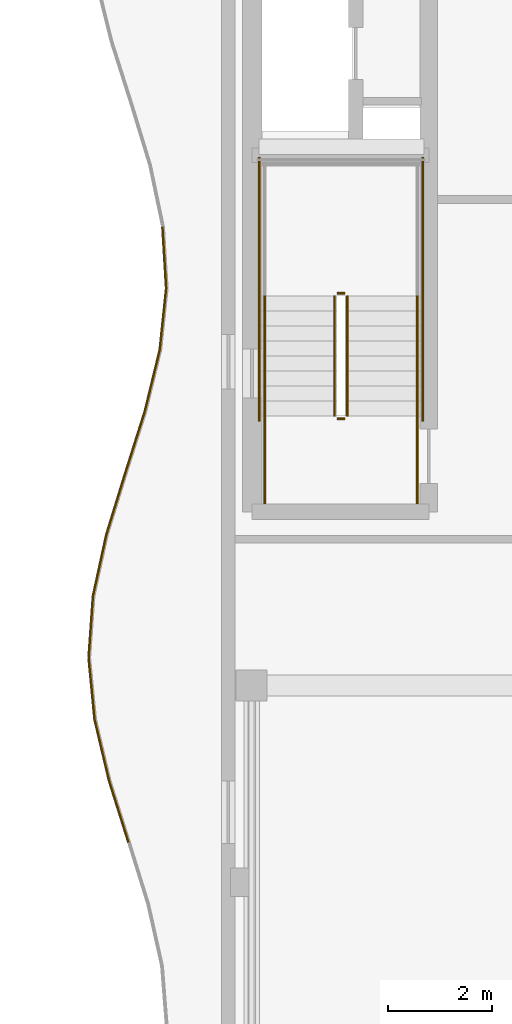
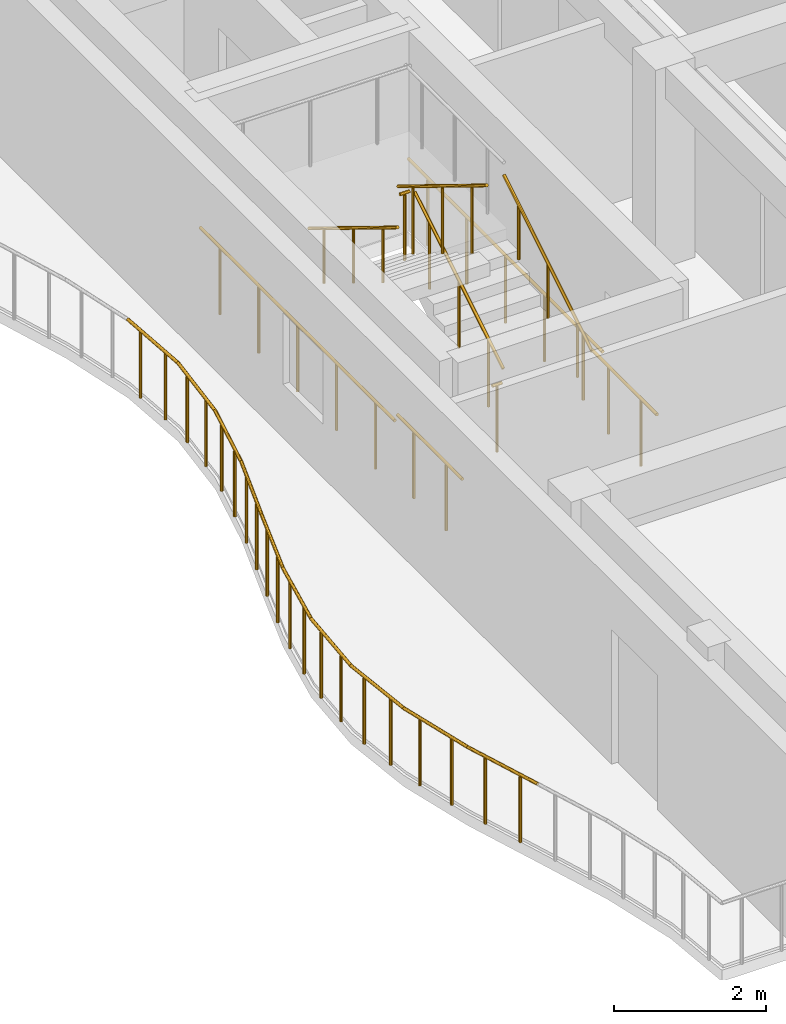
# One storey, part 58 of 79: 20 railings.
"""IFC4 building model written with IfcOpenShell, lengths in metres."""

from ifc_helpers import new_model, si_unit, direction, frame, origin, origin_2d, place, context, subcontext, project, spatial, circle, extrude, material, type_object, element, save


model = new_model("IFC4")

# Units and contexts
model_context = context("Model", 3, precision=1e-05, world=origin(), true_north=direction((0.0, 1.0)))
body_context = subcontext(model_context, "Body", "Model", "MODEL_VIEW")
ifc_project = project(units=[si_unit("LENGTHUNIT", "METRE"), si_unit("AREAUNIT", "SQUARE_METRE"), si_unit("VOLUMEUNIT", "CUBIC_METRE"), si_unit("PLANEANGLEUNIT", "RADIAN"), si_unit("MASSUNIT", "GRAM", prefix="KILO")], contexts=[model_context])

# Site, building, storey
site_placement = place(None, origin())
site = spatial("IfcSite", under=ifc_project, at=site_placement, CompositionType="ELEMENT")
building_placement = place(site_placement, origin())
building = spatial("IfcBuilding", under=site, at=building_placement, Name="Keldmere Railside Commons", CompositionType="ELEMENT")
storey_placement = place(building_placement, frame((0.0, 0.0, 10.56005859375)))
storey = spatial("IfcBuildingStorey", under=building, at=storey_placement, Name="L03", CompositionType="ELEMENT", Elevation=10.56005859375)

# Railings
ifc_material = material(Name="Steel F-24 (S235)", Category="steel")
railing_type_1 = type_object("IfcRailingType", Name="Balcony & Terrace Steel Balustrade 1100", PredefinedType="BALUSTRADE", material=ifc_material)
railing_1_placement = place(storey_placement, frame((46.0703125, 60.966796875, 0.0)))
element("IfcRailing", 1, at=railing_1_placement, inside=storey, type_object=railing_type_1, Name="GR-1 GRD-L03-1113", PredefinedType="BALUSTRADE", context=body_context, shape_type="SweptSolid", body=[
    extrude(circle(Radius=0.02392578125, at=origin_2d()), frame((0.0, 0.0, 1.076171875), z_axis=(-0.300493797751, 0.953783768741, 0.0), x_axis=(-0.953783768741, -0.300493797751, 0.0)), (0.0, 0.0, 1.0), 1.246337890625),
    extrude(circle(Radius=0.02099609375, at=origin_2d()), frame((-0.09375, 0.297119140625, 0.0)), (0.0, 0.0, 1.0), 1.048095703125),
    extrude(circle(Radius=0.02099609375, at=origin_2d()), frame((-0.28076171875, 0.8916015625, 0.0)), (0.0, 0.0, 1.0), 1.048095703125),
])
railing_2_placement = place(storey_placement, frame((45.69580078125, 62.155517578125, 0.0)))
element("IfcRailing", 2, at=railing_2_placement, inside=storey, type_object=railing_type_1, Name="GR-1 GRD-L03-1114", PredefinedType="BALUSTRADE", context=body_context, shape_type="SweptSolid", body=[
    extrude(circle(Radius=0.02392578125, at=origin_2d()), frame((0.0, 0.0, 1.076171875), z_axis=(-0.23000824845, 0.973188679365, 0.0), x_axis=(-0.973188679365, -0.23000824845, 0.0)), (0.0, 0.0, 1.0), 1.2216796875),
    extrude(circle(Radius=0.02099609375, at=origin_2d()), frame((-0.0703125, 0.29736328125, 0.0)), (0.0, 0.0, 1.0), 1.048095703125),
    extrude(circle(Radius=0.02099609375, at=origin_2d()), frame((-0.210693359375, 0.8916015625, 0.0)), (0.0, 0.0, 1.0), 1.048095703125),
])
railing_3_placement = place(storey_placement, frame((45.414794921875, 63.344482421875, 0.0)))
element("IfcRailing", 3, at=railing_3_placement, inside=storey, type_object=railing_type_1, Name="GR-1 GRD-L03-1115", PredefinedType="BALUSTRADE", context=body_context, shape_type="SweptSolid", body=[
    extrude(circle(Radius=0.02392578125, at=origin_2d()), frame((0.0, 0.0, 1.076171875), z_axis=(-0.095677347095, 0.995412399588, 0.0), x_axis=(-0.995412399588, -0.095677347095, 0.0)), (0.0, 0.0, 1.0), 1.194091796875),
    extrude(circle(Radius=0.02099609375, at=origin_2d()), frame((-0.028564453125, 0.297119140625, 0.0)), (0.0, 0.0, 1.0), 1.048095703125),
    extrude(circle(Radius=0.02099609375, at=origin_2d()), frame((-0.085693359375, 0.8916015625, 0.0)), (0.0, 0.0, 1.0), 1.048095703125),
])
railing_4_placement = place(storey_placement, frame((45.300537109375, 64.533203125, 0.0)))
element("IfcRailing", 4, at=railing_4_placement, inside=storey, type_object=railing_type_1, Name="GR-1 GRD-L03-1116", PredefinedType="BALUSTRADE", context=body_context, shape_type="SweptSolid", body=[
    extrude(circle(Radius=0.02392578125, at=origin_2d()), frame((0.0, 0.0, 1.076171875), z_axis=(0.069849511532, 0.997557540064, 0.0), x_axis=(-0.997557540064, 0.069849511532, 0.0)), (0.0, 0.0, 1.0), 1.19189453125),
    extrude(circle(Radius=0.02099609375, at=origin_2d()), frame((0.020751953125, 0.29736328125, 0.0)), (0.0, 0.0, 1.0), 1.048095703125),
    extrude(circle(Radius=0.02099609375, at=origin_2d()), frame((0.0625, 0.8916015625, 0.0)), (0.0, 0.0, 1.0), 1.048095703125),
])
railing_5_placement = place(storey_placement, frame((45.3837890625, 65.72216796875, 0.0)))
element("IfcRailing", 5, at=railing_5_placement, inside=storey, type_object=railing_type_1, Name="GR-1 GRD-L03-1117", PredefinedType="BALUSTRADE", context=body_context, shape_type="SweptSolid", body=[
    extrude(circle(Radius=0.02392578125, at=origin_2d()), frame((0.0, 0.0, 1.076171875), z_axis=(0.212487955487, 0.977163685762, 0.0), x_axis=(-0.977163685762, 0.212487955487, 0.0)), (0.0, 0.0, 1.0), 1.216796875),
    extrude(circle(Radius=0.02099609375, at=origin_2d()), frame((0.064697265625, 0.29736328125, 0.0)), (0.0, 0.0, 1.0), 1.048095703125),
    extrude(circle(Radius=0.02099609375, at=origin_2d()), frame((0.19384765625, 0.8916015625, 0.0)), (0.0, 0.0, 1.0), 1.048095703125),
])
railing_6_placement = place(storey_placement, frame((45.642333984375, 66.9111328125, 0.0)))
element("IfcRailing", 6, at=railing_6_placement, inside=storey, type_object=railing_type_1, Name="GR-1 GRD-L03-1118", PredefinedType="BALUSTRADE", context=body_context, shape_type="SweptSolid", body=[
    extrude(circle(Radius=0.02392578125, at=origin_2d()), frame((0.0, 0.0, 1.076171875), z_axis=(0.294003098694, 0.955804466383, 0.0), x_axis=(-0.955804466383, 0.294003098694, 0.0)), (0.0, 0.0, 1.0), 1.243896484375),
    extrude(circle(Radius=0.02099609375, at=origin_2d()), frame((0.09130859375, 0.29736328125, 0.0)), (0.0, 0.0, 1.0), 1.048095703125),
    extrude(circle(Radius=0.02099609375, at=origin_2d()), frame((0.2744140625, 0.8916015625, 0.0)), (0.0, 0.0, 1.0), 1.048095703125),
])
railing_7_placement = place(storey_placement, frame((46.008056640625, 68.10009765625, 0.0)))
element("IfcRailing", 7, at=railing_7_placement, inside=storey, type_object=railing_type_1, Name="GR-1 GRD-L03-1119", PredefinedType="BALUSTRADE", context=body_context, shape_type="SweptSolid", body=[
    extrude(circle(Radius=0.02392578125, at=origin_2d()), frame((0.0, 0.0, 1.076171875), z_axis=(0.302096330434, 0.953277403036, 0.0), x_axis=(-0.953277403036, 0.302096330434, 0.0)), (0.0, 0.0, 1.0), 1.2470703125),
    extrude(circle(Radius=0.02099609375, at=origin_2d()), frame((0.09423828125, 0.297119140625, 0.0)), (0.0, 0.0, 1.0), 1.048095703125),
    extrude(circle(Radius=0.02099609375, at=origin_2d()), frame((0.282470703125, 0.8916015625, 0.0)), (0.0, 0.0, 1.0), 1.048095703125),
])
railing_8_placement = place(storey_placement, frame((46.384765625, 69.288818359375, 0.0)))
element("IfcRailing", 8, at=railing_8_placement, inside=storey, type_object=railing_type_1, Name="GR-1 GRD-L03-1120", PredefinedType="BALUSTRADE", context=body_context, shape_type="SweptSolid", body=[
    extrude(circle(Radius=0.02392578125, at=origin_2d()), frame((0.0, 0.0, 1.076171875), z_axis=(0.236051162868, 0.971740628207, 0.0), x_axis=(-0.971740628207, 0.236051162868, 0.0)), (0.0, 0.0, 1.0), 1.2236328125),
    extrude(circle(Radius=0.02099609375, at=origin_2d()), frame((0.072265625, 0.29736328125, 0.0)), (0.0, 0.0, 1.0), 1.048095703125),
    extrude(circle(Radius=0.02099609375, at=origin_2d()), frame((0.216552734375, 0.8916015625, 0.0)), (0.0, 0.0, 1.0), 1.048095703125),
])
railing_9_placement = place(storey_placement, frame((46.673583984375, 70.477783203125, 0.0)))
element("IfcRailing", 9, at=railing_9_placement, inside=storey, type_object=railing_type_1, Name="GR-1 GRD-L03-1121", PredefinedType="BALUSTRADE", context=body_context, shape_type="SweptSolid", body=[
    extrude(circle(Radius=0.02392578125, at=origin_2d()), frame((0.0, 0.0, 1.076171875), z_axis=(0.104153232788, 0.994561262115, 0.0), x_axis=(-0.994561262115, 0.104153232788, 0.0)), (0.0, 0.0, 1.0), 1.195556640625),
    extrude(circle(Radius=0.02099609375, at=origin_2d()), frame((0.03125, 0.29736328125, 0.0)), (0.0, 0.0, 1.0), 1.048095703125),
    extrude(circle(Radius=0.02099609375, at=origin_2d()), frame((0.09326171875, 0.8916015625, 0.0)), (0.0, 0.0, 1.0), 1.048095703125),
])
railing_10_placement = place(storey_placement, frame((46.798095703125, 71.666748046875, 0.0)))
element("IfcRailing", 10, at=railing_10_placement, inside=storey, type_object=railing_type_1, Name="GR-1 GRD-L03-1122", PredefinedType="BALUSTRADE", context=body_context, shape_type="SweptSolid", body=[
    extrude(circle(Radius=0.02392578125, at=origin_2d()), frame((0.0, 0.0, 1.076171875), z_axis=(-0.060668328994, 0.99815798041, 0.0), x_axis=(-0.99815798041, -0.060668328994, 0.0)), (0.0, 0.0, 1.0), 1.191162109375),
    extrude(circle(Radius=0.02099609375, at=origin_2d()), frame((-0.01806640625, 0.29736328125, 0.0)), (0.0, 0.0, 1.0), 1.048095703125),
    extrude(circle(Radius=0.02099609375, at=origin_2d()), frame((-0.05419921875, 0.8916015625, 0.0)), (0.0, 0.0, 1.0), 1.048095703125),
])
railing_type_2 = type_object("IfcRailingType", Name="Stair Well Steel Guardrail 1100", PredefinedType="BALUSTRADE", material=ifc_material)
railing_11_placement = place(storey_placement, frame((50.300048828125, 69.199951171875, 0.177734375)))
element("IfcRailing", 11, at=railing_11_placement, inside=storey, type_object=railing_type_2, Name="L03 ST-C1 stair guard 1", PredefinedType="BALUSTRADE", context=body_context, shape_type="SweptSolid", body=[
    extrude(circle(Radius=0.02392578125, at=origin_2d()), frame((0.0, 0.0, 1.076171875), z_axis=(0.0, 0.852578041948, 0.522599925744), x_axis=(-1.0, 0.0, 0.0)), (0.0, 0.0, 1.0), 2.72119140625),
    extrude(circle(Radius=0.02099609375, at=origin_2d()), frame((0.0, 0.38671875, 0.237060546875)), (0.0, 0.0, 1.0), 1.048095703125),
    extrude(circle(Radius=0.02099609375, at=origin_2d()), frame((0.0, 1.16015625, 0.7109375)), (0.0, 0.0, 1.0), 1.048095703125),
    extrude(circle(Radius=0.02099609375, at=origin_2d()), frame((0.0, 1.933349609375, 1.18505859375)), (0.0, 0.0, 1.0), 1.048095703125),
])
railing_12_placement = place(storey_placement, frame((50.25, 71.570068359375, 1.599853515625)))
element("IfcRailing", 12, at=railing_12_placement, inside=storey, type_object=railing_type_2, Name="L03 ST-C1 stair guard 2", PredefinedType="BALUSTRADE", context=body_context, shape_type="SweptSolid", body=[
    extrude(circle(Radius=0.02392578125, at=origin_2d()), frame((0.0, 0.0, 1.076171875), z_axis=(-1.0, 0.0, 0.0), x_axis=(0.0, -1.0, 0.0)), (0.0, 0.0, 1.0), 0.14990234375),
    extrude(circle(Radius=0.02099609375, at=origin_2d()), frame((-0.074951171875, 0.0, 0.0)), (0.0, 0.0, 1.0), 1.048095703125),
])
railing_13_placement = place(storey_placement, frame((50.050048828125, 71.52001953125, 1.77783203125)))
element("IfcRailing", 13, at=railing_13_placement, inside=storey, type_object=railing_type_2, Name="L03 ST-C1 stair guard 6", PredefinedType="BALUSTRADE", context=body_context, shape_type="SweptSolid", body=[
    extrude(circle(Radius=0.02392578125, at=origin_2d()), frame((0.0, 0.0, 1.076171875), z_axis=(0.0, -0.852578041948, 0.522599925744), x_axis=(1.0, 0.0, 0.0)), (0.0, 0.0, 1.0), 2.72119140625),
    extrude(circle(Radius=0.02099609375, at=origin_2d()), frame((0.0, -0.38671875, 0.237060546875)), (0.0, 0.0, 1.0), 1.048095703125),
    extrude(circle(Radius=0.02099609375, at=origin_2d()), frame((0.0, -1.16015625, 0.7109375)), (0.0, 0.0, 1.0), 1.048095703125),
    extrude(circle(Radius=0.02099609375, at=origin_2d()), frame((0.0, -1.933349609375, 1.18505859375)), (0.0, 0.0, 1.0), 1.048095703125),
])
railing_14_placement = place(storey_placement, frame((50.25, 69.14990234375, 0.0)))
element("IfcRailing", 14, at=railing_14_placement, inside=storey, type_object=railing_type_2, Name="L03 ST-C1 stair guard 7", PredefinedType="BALUSTRADE", context=body_context, shape_type="SweptSolid", body=[
    extrude(circle(Radius=0.02392578125, at=origin_2d()), frame((0.0, 0.0, 1.076171875), z_axis=(-1.0, 0.0, 0.0), x_axis=(0.0, -1.0, 0.0)), (0.0, 0.0, 1.0), 0.14990234375),
    extrude(circle(Radius=0.02099609375, at=origin_2d()), frame((-0.074951171875, 0.0, 0.0)), (0.0, 0.0, 1.0), 1.048095703125),
])
for number, where, name in (
    (15, (51.64990234375, 67.5, 0.0), "L03 ST-C1 stair guard 8"),
    (16, (48.699951171875, 67.5, 0.0), "L03 ST-C1 stair guard 9"),
):
    element("IfcRailing", number, at=place(storey_placement, frame(where)), inside=storey, type_object=railing_type_2, Name=name, PredefinedType="BALUSTRADE", context=body_context, shape_type="SweptSolid", body=[
        extrude(circle(Radius=0.02392578125, at=origin_2d()), frame((0.0, 0.0, 1.076171875), z_axis=(0.0, 1.0, 0.0), x_axis=(-1.0, 0.0, 0.0)), (0.0, 0.0, 1.0), 1.699951171875),
        extrude(circle(Radius=0.02099609375, at=origin_2d()), frame((0.0, 0.425048828125, 0.0)), (0.0, 0.0, 1.0), 1.048095703125),
        extrude(circle(Radius=0.02099609375, at=origin_2d()), frame((0.0, 1.27490234375, 0.0)), (0.0, 0.0, 1.0), 1.048095703125),
    ])
for number, where, name in (
    (17, (51.75, 69.10009765625, 0.0), "L03 ST-C1 stair guard 10"),
    (18, (48.60009765625, 69.10009765625, 0.0), "L03 ST-C1 stair guard 11"),
):
    element("IfcRailing", number, at=place(storey_placement, frame(where)), inside=storey, type_object=railing_type_2, Name=name, PredefinedType="BALUSTRADE", context=body_context, shape_type="SweptSolid", body=[
        extrude(circle(Radius=0.02392578125, at=origin_2d()), frame((0.0, 0.0, 1.076171875), z_axis=(0.0, 1.0, 0.0), x_axis=(-1.0, 0.0, 0.0)), (0.0, 0.0, 1.0), 5.099853515625),
        extrude(circle(Radius=0.02099609375, at=origin_2d()), frame((0.0, 0.510009765625, 0.0)), (0.0, 0.0, 1.0), 1.048095703125),
        extrude(circle(Radius=0.02099609375, at=origin_2d()), frame((0.0, 1.530029296875, 0.0)), (0.0, 0.0, 1.0), 1.048095703125),
        extrude(circle(Radius=0.02099609375, at=origin_2d()), frame((0.0, 2.5498046875, 0.0)), (0.0, 0.0, 1.0), 1.048095703125),
        extrude(circle(Radius=0.02099609375, at=origin_2d()), frame((0.0, 3.56982421875, 0.0)), (0.0, 0.0, 1.0), 1.048095703125),
        extrude(circle(Radius=0.02099609375, at=origin_2d()), frame((0.0, 4.58984375, 0.0)), (0.0, 0.0, 1.0), 1.048095703125),
    ])
railing_type_3 = type_object("IfcRailingType", Name="Wall-Mounted Tubular Steel Handrail 900", PredefinedType="HANDRAIL", material=ifc_material)
railing_15_placement = place(storey_placement, frame((51.64990234375, 69.199951171875, 0.177734375)))
element("IfcRailing", 19, at=railing_15_placement, inside=storey, type_object=railing_type_3, Name="L03 ST-C1 stair handrail 1", PredefinedType="HANDRAIL", context=body_context, shape_type="SweptSolid", body=[
    extrude(circle(Radius=0.02392578125, at=origin_2d()), frame((0.0, 0.0, 0.8759765625), z_axis=(0.0, 0.852578041948, 0.522599925744), x_axis=(-1.0, 0.0, 0.0)), (0.0, 0.0, 1.0), 2.72119140625),
    extrude(circle(Radius=0.02099609375, at=origin_2d()), frame((0.0, 0.38671875, 0.237060546875)), (0.0, 0.0, 1.0), 0.847900390625),
    extrude(circle(Radius=0.02099609375, at=origin_2d()), frame((0.0, 1.16015625, 0.7109375)), (0.0, 0.0, 1.0), 0.847900390625),
    extrude(circle(Radius=0.02099609375, at=origin_2d()), frame((0.0, 1.933349609375, 1.18505859375)), (0.0, 0.0, 1.0), 0.847900390625),
])
railing_16_placement = place(storey_placement, frame((48.699951171875, 71.52001953125, 1.77783203125)))
element("IfcRailing", 20, at=railing_16_placement, inside=storey, type_object=railing_type_3, Name="L03 ST-C1 stair handrail 2", PredefinedType="HANDRAIL", context=body_context, shape_type="SweptSolid", body=[
    extrude(circle(Radius=0.02392578125, at=origin_2d()), frame((0.0, 0.0, 0.8759765625), z_axis=(0.0, -0.852578041948, 0.522599925744), x_axis=(1.0, 0.0, 0.0)), (0.0, 0.0, 1.0), 2.72119140625),
    extrude(circle(Radius=0.02099609375, at=origin_2d()), frame((0.0, -0.38671875, 0.237060546875)), (0.0, 0.0, 1.0), 0.847900390625),
    extrude(circle(Radius=0.02099609375, at=origin_2d()), frame((0.0, -1.16015625, 0.7109375)), (0.0, 0.0, 1.0), 0.847900390625),
    extrude(circle(Radius=0.02099609375, at=origin_2d()), frame((0.0, -1.933349609375, 1.18505859375)), (0.0, 0.0, 1.0), 0.847900390625),
])

save(model, "model.ifc")
